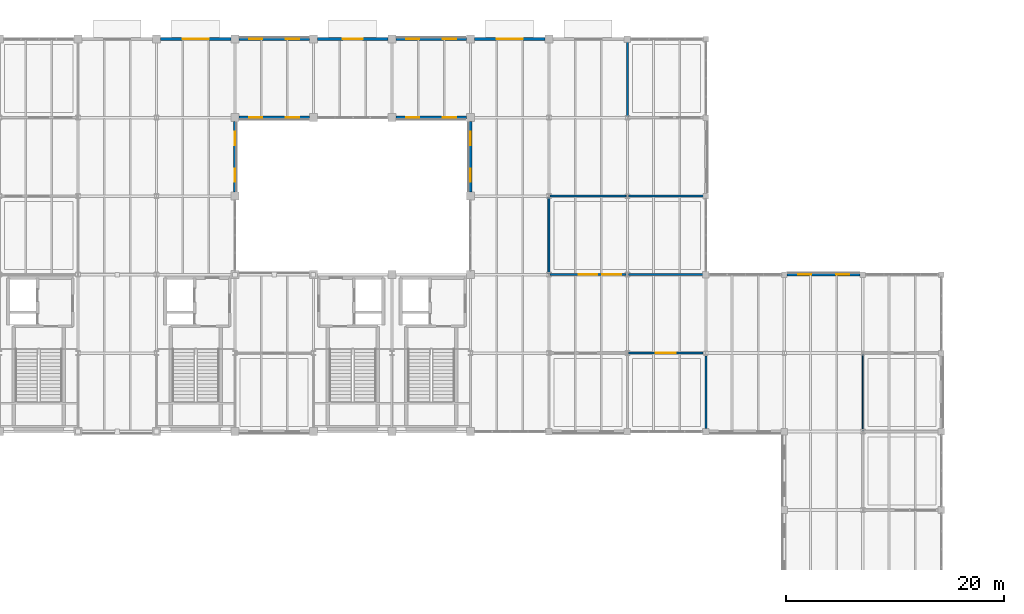
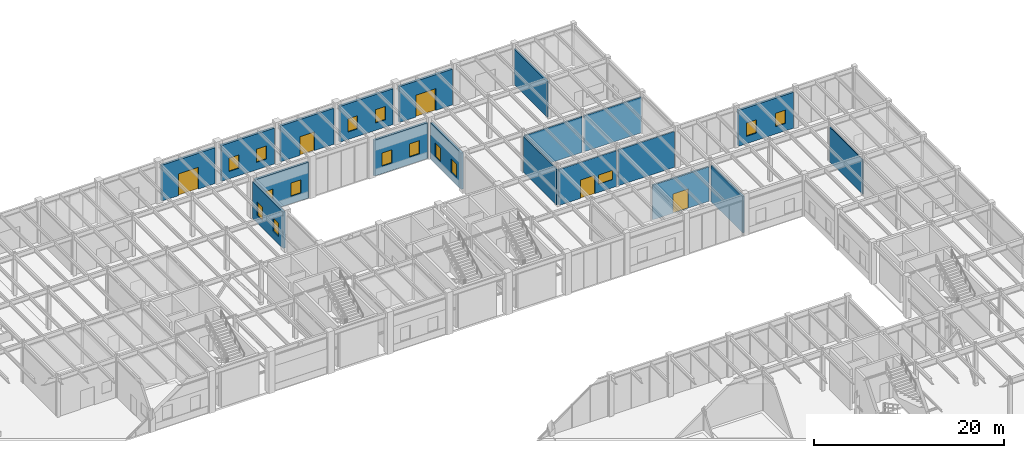
# One storey, part 43 of 97: 19 walls, 15 windows, 5 doors, 20 openings.
"""IFC4 building model written with IfcOpenShell, lengths in metres."""

from ifc_helpers import new_model, si_unit, direction, frame, frame_2d, origin, place, context, subcontext, project, spatial, rectangle, extrude, material, layer, layer_set, type_object, element, fill, save


model = new_model("IFC4")

# Units and contexts
model_context = context("Model", 3, precision=1e-05, world=origin(), true_north=direction((0.0, 1.0)))
body_context = subcontext(model_context, "Body", "Model", "MODEL_VIEW")
ifc_project = project(units=[si_unit("LENGTHUNIT", "METRE"), si_unit("AREAUNIT", "SQUARE_METRE"), si_unit("VOLUMEUNIT", "CUBIC_METRE"), si_unit("PLANEANGLEUNIT", "RADIAN"), si_unit("MASSUNIT", "GRAM", prefix="KILO")], contexts=[model_context])

# Site, building, storey
site_placement = place(None, origin())
site = spatial("IfcSite", under=ifc_project, at=site_placement, CompositionType="ELEMENT")
building_placement = place(site_placement, origin())
building = spatial("IfcBuilding", under=site, at=building_placement, Name="Sillqori Civic Hall", CompositionType="ELEMENT")
storey_placement = place(building_placement, origin())
storey = spatial("IfcBuildingStorey", under=building, at=storey_placement, Name="L01", CompositionType="ELEMENT", Elevation=0.0)

# Wall, openings, windows
ifc_material_1 = material(Name="Precast concrete C40/50 (H40)", Category="concrete")
ifc_layer_1 = layer(ifc_material_1, 0.280029296875)
ifc_layer_set_1 = layer_set([ifc_layer_1], Name="Precast concrete C40/50 (H40)")
wall_type_1 = type_object("IfcWallType", Name="EW-LIME-280", PredefinedType="SOLIDWALL", material=ifc_layer_set_1)
wall_1_placement = place(storey_placement, frame((72.0, 107.625, 0.0), z_axis=(0.0, 0.0, 1.0), x_axis=(0.0, -1.0, 0.0)))
wall_1 = element("IfcWall", 1, at=wall_1_placement, inside=storey, type_object=wall_type_1, Name="L01 V4 exterior wall L01-09-14-E", PredefinedType="SOLIDWALL", context=body_context, shape_type="SweptSolid", body=[
    extrude(rectangle(XDim=6.449951171875, YDim=0.280029296875, at=frame_2d((3.22509765625, 0.0))), origin(), (0.0, 0.0, 1.0), 4.6669921875),
])
opening_1_placement = place(wall_1_placement, frame((0.947998046875, 0.0, 0.949951171875)))
opening_1 = element("IfcOpeningElement", 2, at=opening_1_placement, cuts=wall_1, Name="Opening W-22", PredefinedType="OPENING", context=body_context, shape_type="SweptSolid", body=[
    extrude(rectangle(XDim=1.199951171875, YDim=1.699951171875, at=frame_2d((0.60009765625, 0.85009765625))), frame((0.0, 0.14990234375, 0.0), z_axis=(0.0, -1.0, 0.0), x_axis=(1.0, 0.0, 0.0)), (0.0, 0.0, 1.0), 0.300048828125),
])
opening_2_placement = place(wall_1_placement, frame((4.302001953125, 0.0, 0.949951171875)))
opening_2 = element("IfcOpeningElement", 3, at=opening_2_placement, cuts=wall_1, Name="Opening W-22", PredefinedType="OPENING", context=body_context, shape_type="SweptSolid", body=[
    extrude(rectangle(XDim=1.199951171875, YDim=1.699951171875, at=frame_2d((0.60009765625, 0.85009765625))), frame((0.0, 0.14990234375, 0.0), z_axis=(0.0, -1.0, 0.0), x_axis=(1.0, 0.0, 0.0)), (0.0, 0.0, 1.0), 0.300048828125),
])
ifc_material_2 = material(Name="Thermally Broken Aluminium Low-E Window", Category="aluminium")
window_type_1 = type_object("IfcWindowType", Name="WIN-V5-120X170", PartitioningType="SINGLE_PANEL", PredefinedType="WINDOW", material=ifc_material_2)
window_1_placement = place(opening_1_placement, origin())
window_1 = element("IfcWindow", 4, at=window_1_placement, inside=storey, type_object=window_type_1, Name="L01 V4 window L01-09-14-E.1", OverallHeight=1.699951171875, OverallWidth=1.199951171875, PartitioningType="SINGLE_PANEL", PredefinedType="WINDOW", context=body_context, shape_type="SweptSolid", body=[
    extrude(rectangle(XDim=1.199951171875, YDim=1.699951171875, at=frame_2d((0.60009765625, 0.85009765625))), frame((0.0, 0.030029296875, 0.0), z_axis=(0.0, -1.0, 0.0), x_axis=(1.0, 0.0, 0.0)), (0.0, 0.0, 1.0), 0.06005859375),
])
fill(opening_1, window_1)
window_2_placement = place(opening_2_placement, origin())
window_2 = element("IfcWindow", 5, at=window_2_placement, inside=storey, type_object=window_type_1, Name="L01 V4 window L01-09-14-E.2", OverallHeight=1.699951171875, OverallWidth=1.199951171875, PartitioningType="SINGLE_PANEL", PredefinedType="WINDOW", context=body_context, shape_type="SweptSolid", body=[
    extrude(rectangle(XDim=1.199951171875, YDim=1.699951171875, at=frame_2d((0.60009765625, 0.85009765625))), frame((0.0, 0.030029296875, 0.0), z_axis=(0.0, -1.0, 0.0), x_axis=(1.0, 0.0, 0.0)), (0.0, 0.0, 1.0), 0.06005859375),
])
fill(opening_2, window_2)

# Wall, opening, door
wall_2_placement = place(storey_placement, frame((65.175048828125, 115.199951171875, 0.0), z_axis=(0.0, 0.0, 1.0), x_axis=(1.0, 0.0, 0.0)))
wall_2 = element("IfcWall", 6, at=wall_2_placement, inside=storey, type_object=wall_type_1, Name="L01 V4 exterior wall L01-09-15-N", PredefinedType="SOLIDWALL", context=body_context, shape_type="SweptSolid", body=[
    extrude(rectangle(XDim=6.449951171875, YDim=0.280029296875, at=frame_2d((3.22509765625, 0.0))), origin(), (0.0, 0.0, 1.0), 4.597900390625),
])
opening_3_placement = place(wall_2_placement, frame((2.02490234375, 0.0, 0.0)))
opening_3 = element("IfcOpeningElement", 7, at=opening_3_placement, cuts=wall_2, Name="Opening ED-01", PredefinedType="OPENING", context=body_context, shape_type="SweptSolid", body=[
    extrude(rectangle(XDim=2.39990234375, YDim=2.800048828125, at=frame_2d((1.199951171875, 1.39990234375))), frame((0.0, 0.14990234375, 0.0), z_axis=(0.0, -1.0, 0.0), x_axis=(1.0, 0.0, 0.0)), (0.0, 0.0, 1.0), 0.300048828125),
])
ifc_material_3 = material(Name="Thermally Broken Anodized Aluminium and Laminated Glass", Category="aluminium")
door_type_1 = type_object("IfcDoorType", Name="EDR-MAIN-240X280", OperationType="NOTDEFINED", PredefinedType="DOOR", material=ifc_material_3)
door_1_placement = place(opening_3_placement, origin())
door_1 = element("IfcDoor", 8, at=door_1_placement, inside=storey, type_object=door_type_1, Name="North Civic Garden Courtyard Portal", OperationType="DOUBLE_DOOR_SINGLE_SWING", OverallHeight=2.800048828125, OverallWidth=2.39990234375, PredefinedType="DOOR", context=body_context, shape_type="SweptSolid", body=[
    extrude(rectangle(XDim=2.39990234375, YDim=2.800048828125, at=frame_2d((1.199951171875, 1.39990234375))), frame((0.0, 0.02490234375, 0.0), z_axis=(0.0, -1.0, 0.0), x_axis=(1.0, 0.0, 0.0)), (0.0, 0.0, 1.0), 0.050048828125),
])
fill(opening_3, door_1)

# Wall, openings, windows
wall_3_placement = place(storey_placement, frame((78.824951171875, 108.0, 0.0), z_axis=(0.0, 0.0, 1.0), x_axis=(-1.0, 0.0, 0.0)))
wall_3 = element("IfcWall", 9, at=wall_3_placement, inside=storey, type_object=wall_type_1, Name="L01 V4 exterior wall L01-10-15-S", PredefinedType="SOLIDWALL", context=body_context, shape_type="SweptSolid", body=[
    extrude(rectangle(XDim=6.449951171875, YDim=0.280029296875, at=frame_2d((3.22509765625, 0.0))), origin(), (0.0, 0.0, 1.0), 4.597900390625),
])
opening_4_placement = place(wall_3_placement, frame((0.947998046875, 0.0, 0.949951171875)))
opening_4 = element("IfcOpeningElement", 10, at=opening_4_placement, cuts=wall_3, Name="Opening W-22", PredefinedType="OPENING", context=body_context, shape_type="SweptSolid", body=[
    extrude(rectangle(XDim=1.199951171875, YDim=1.699951171875, at=frame_2d((0.60009765625, 0.85009765625))), frame((0.0, 0.14990234375, 0.0), z_axis=(0.0, -1.0, 0.0), x_axis=(1.0, 0.0, 0.0)), (0.0, 0.0, 1.0), 0.300048828125),
])
opening_5_placement = place(wall_3_placement, frame((4.302001953125, 0.0, 0.949951171875)))
opening_5 = element("IfcOpeningElement", 11, at=opening_5_placement, cuts=wall_3, Name="Opening W-22", PredefinedType="OPENING", context=body_context, shape_type="SweptSolid", body=[
    extrude(rectangle(XDim=1.199951171875, YDim=1.699951171875, at=frame_2d((0.60009765625, 0.85009765625))), frame((0.0, 0.14990234375, 0.0), z_axis=(0.0, -1.0, 0.0), x_axis=(1.0, 0.0, 0.0)), (0.0, 0.0, 1.0), 0.300048828125),
])
window_3_placement = place(opening_4_placement, origin())
window_3 = element("IfcWindow", 12, at=window_3_placement, inside=storey, type_object=window_type_1, Name="L01 V4 window L01-10-15-S.1", OverallHeight=1.699951171875, OverallWidth=1.199951171875, PartitioningType="SINGLE_PANEL", PredefinedType="WINDOW", context=body_context, shape_type="SweptSolid", body=[
    extrude(rectangle(XDim=1.199951171875, YDim=1.699951171875, at=frame_2d((0.60009765625, 0.85009765625))), frame((0.0, 0.030029296875, 0.0), z_axis=(0.0, -1.0, 0.0), x_axis=(1.0, 0.0, 0.0)), (0.0, 0.0, 1.0), 0.06005859375),
])
fill(opening_4, window_3)
window_4_placement = place(opening_5_placement, origin())
window_4 = element("IfcWindow", 13, at=window_4_placement, inside=storey, type_object=window_type_1, Name="L01 V4 window L01-10-15-S.2", OverallHeight=1.699951171875, OverallWidth=1.199951171875, PartitioningType="SINGLE_PANEL", PredefinedType="WINDOW", context=body_context, shape_type="SweptSolid", body=[
    extrude(rectangle(XDim=1.199951171875, YDim=1.699951171875, at=frame_2d((0.60009765625, 0.85009765625))), frame((0.0, 0.030029296875, 0.0), z_axis=(0.0, -1.0, 0.0), x_axis=(1.0, 0.0, 0.0)), (0.0, 0.0, 1.0), 0.06005859375),
])
fill(opening_5, window_4)

wall_4_placement = place(storey_placement, frame((72.375, 115.199951171875, 0.0), z_axis=(0.0, 0.0, 1.0), x_axis=(1.0, 0.0, 0.0)))
wall_4 = element("IfcWall", 14, at=wall_4_placement, inside=storey, type_object=wall_type_1, Name="L01 V4 exterior wall L01-10-15-N", PredefinedType="SOLIDWALL", context=body_context, shape_type="SweptSolid", body=[
    extrude(rectangle(XDim=6.449951171875, YDim=0.280029296875, at=frame_2d((3.22509765625, 0.0))), origin(), (0.0, 0.0, 1.0), 4.597900390625),
])
opening_6_placement = place(wall_4_placement, frame((0.947998046875, 0.0, 0.949951171875)))
opening_6 = element("IfcOpeningElement", 15, at=opening_6_placement, cuts=wall_4, Name="Opening W-22", PredefinedType="OPENING", context=body_context, shape_type="SweptSolid", body=[
    extrude(rectangle(XDim=1.199951171875, YDim=1.699951171875, at=frame_2d((0.60009765625, 0.85009765625))), frame((0.0, 0.14990234375, 0.0), z_axis=(0.0, -1.0, 0.0), x_axis=(1.0, 0.0, 0.0)), (0.0, 0.0, 1.0), 0.300048828125),
])
opening_7_placement = place(wall_4_placement, frame((4.302001953125, 0.0, 0.949951171875)))
opening_7 = element("IfcOpeningElement", 16, at=opening_7_placement, cuts=wall_4, Name="Opening W-22", PredefinedType="OPENING", context=body_context, shape_type="SweptSolid", body=[
    extrude(rectangle(XDim=1.199951171875, YDim=1.699951171875, at=frame_2d((0.60009765625, 0.85009765625))), frame((0.0, 0.14990234375, 0.0), z_axis=(0.0, -1.0, 0.0), x_axis=(1.0, 0.0, 0.0)), (0.0, 0.0, 1.0), 0.300048828125),
])
window_5_placement = place(opening_6_placement, origin())
window_5 = element("IfcWindow", 17, at=window_5_placement, inside=storey, type_object=window_type_1, Name="L01 V4 window L01-10-15-N.1", OverallHeight=1.699951171875, OverallWidth=1.199951171875, PartitioningType="SINGLE_PANEL", PredefinedType="WINDOW", context=body_context, shape_type="SweptSolid", body=[
    extrude(rectangle(XDim=1.199951171875, YDim=1.699951171875, at=frame_2d((0.60009765625, 0.85009765625))), frame((0.0, 0.030029296875, 0.0), z_axis=(0.0, -1.0, 0.0), x_axis=(1.0, 0.0, 0.0)), (0.0, 0.0, 1.0), 0.06005859375),
])
fill(opening_6, window_5)
window_6_placement = place(opening_7_placement, origin())
window_6 = element("IfcWindow", 18, at=window_6_placement, inside=storey, type_object=window_type_1, Name="L01 V4 window L01-10-15-N.2", OverallHeight=1.699951171875, OverallWidth=1.199951171875, PartitioningType="SINGLE_PANEL", PredefinedType="WINDOW", context=body_context, shape_type="SweptSolid", body=[
    extrude(rectangle(XDim=1.199951171875, YDim=1.699951171875, at=frame_2d((0.60009765625, 0.85009765625))), frame((0.0, 0.030029296875, 0.0), z_axis=(0.0, -1.0, 0.0), x_axis=(1.0, 0.0, 0.0)), (0.0, 0.0, 1.0), 0.06005859375),
])
fill(opening_7, window_6)

# Wall, opening, door
wall_5_placement = place(storey_placement, frame((79.574951171875, 115.199951171875, 0.0), z_axis=(0.0, 0.0, 1.0), x_axis=(1.0, 0.0, 0.0)))
wall_5 = element("IfcWall", 19, at=wall_5_placement, inside=storey, type_object=wall_type_1, Name="L01 V4 exterior wall L01-11-15-N", PredefinedType="SOLIDWALL", context=body_context, shape_type="SweptSolid", body=[
    extrude(rectangle(XDim=6.449951171875, YDim=0.280029296875, at=frame_2d((3.22509765625, 0.0))), origin(), (0.0, 0.0, 1.0), 4.597900390625),
])
opening_8_placement = place(wall_5_placement, frame((2.324951171875, 0.0, 0.0)))
opening_8 = element("IfcOpeningElement", 20, at=opening_8_placement, cuts=wall_5, Name="Opening ED-04", PredefinedType="OPENING", context=body_context, shape_type="SweptSolid", body=[
    extrude(rectangle(XDim=1.800048828125, YDim=2.39990234375, at=frame_2d((0.89990234375, 1.199951171875))), frame((0.0, 0.14990234375, 0.0), z_axis=(0.0, -1.0, 0.0), x_axis=(1.0, 0.0, 0.0)), (0.0, 0.0, 1.0), 0.300048828125),
])
door_type_2 = type_object("IfcDoorType", Name="EDR-EXIT-180X240", OperationType="NOTDEFINED", PredefinedType="DOOR", material=ifc_material_3)
door_2_placement = place(opening_8_placement, origin())
door_2 = element("IfcDoor", 21, at=door_2_placement, inside=storey, type_object=door_type_2, Name="North Civic Garden Courtyard Exit", OperationType="DOUBLE_DOOR_SINGLE_SWING", OverallHeight=2.39990234375, OverallWidth=1.800048828125, PredefinedType="DOOR", context=body_context, shape_type="SweptSolid", body=[
    extrude(rectangle(XDim=1.800048828125, YDim=2.39990234375, at=frame_2d((0.89990234375, 1.199951171875))), frame((0.0, 0.02490234375, 0.0), z_axis=(0.0, -1.0, 0.0), x_axis=(1.0, 0.0, 0.0)), (0.0, 0.0, 1.0), 0.050048828125),
])
fill(opening_8, door_2)

# Wall, openings, windows
wall_6_placement = place(storey_placement, frame((93.22509765625, 108.0, 0.0), z_axis=(0.0, 0.0, 1.0), x_axis=(-1.0, 0.0, 0.0)))
wall_6 = element("IfcWall", 22, at=wall_6_placement, inside=storey, type_object=wall_type_1, Name="L01 V4 exterior wall L01-12-15-S", PredefinedType="SOLIDWALL", context=body_context, shape_type="SweptSolid", body=[
    extrude(rectangle(XDim=6.4501953125, YDim=0.280029296875, at=frame_2d((3.22509765625, 0.0))), origin(), (0.0, 0.0, 1.0), 4.597900390625),
])
opening_9_placement = place(wall_6_placement, frame((0.947998046875, 0.0, 0.949951171875)))
opening_9 = element("IfcOpeningElement", 23, at=opening_9_placement, cuts=wall_6, Name="Opening W-22", PredefinedType="OPENING", context=body_context, shape_type="SweptSolid", body=[
    extrude(rectangle(XDim=1.199951171875, YDim=1.699951171875, at=frame_2d((0.60009765625, 0.85009765625))), frame((0.0, 0.14990234375, 0.0), z_axis=(0.0, -1.0, 0.0), x_axis=(1.0, 0.0, 0.0)), (0.0, 0.0, 1.0), 0.300048828125),
])
opening_10_placement = place(wall_6_placement, frame((4.302001953125, 0.0, 0.949951171875)))
opening_10 = element("IfcOpeningElement", 24, at=opening_10_placement, cuts=wall_6, Name="Opening W-22", PredefinedType="OPENING", context=body_context, shape_type="SweptSolid", body=[
    extrude(rectangle(XDim=1.199951171875, YDim=1.699951171875, at=frame_2d((0.60009765625, 0.85009765625))), frame((0.0, 0.14990234375, 0.0), z_axis=(0.0, -1.0, 0.0), x_axis=(1.0, 0.0, 0.0)), (0.0, 0.0, 1.0), 0.300048828125),
])
window_7_placement = place(opening_9_placement, origin())
window_7 = element("IfcWindow", 25, at=window_7_placement, inside=storey, type_object=window_type_1, Name="L01 V4 window L01-12-15-S.1", OverallHeight=1.699951171875, OverallWidth=1.199951171875, PartitioningType="SINGLE_PANEL", PredefinedType="WINDOW", context=body_context, shape_type="SweptSolid", body=[
    extrude(rectangle(XDim=1.199951171875, YDim=1.699951171875, at=frame_2d((0.60009765625, 0.85009765625))), frame((0.0, 0.030029296875, 0.0), z_axis=(0.0, -1.0, 0.0), x_axis=(1.0, 0.0, 0.0)), (0.0, 0.0, 1.0), 0.06005859375),
])
fill(opening_9, window_7)
window_8_placement = place(opening_10_placement, origin())
window_8 = element("IfcWindow", 26, at=window_8_placement, inside=storey, type_object=window_type_1, Name="L01 V4 window L01-12-15-S.2", OverallHeight=1.699951171875, OverallWidth=1.199951171875, PartitioningType="SINGLE_PANEL", PredefinedType="WINDOW", context=body_context, shape_type="SweptSolid", body=[
    extrude(rectangle(XDim=1.199951171875, YDim=1.699951171875, at=frame_2d((0.60009765625, 0.85009765625))), frame((0.0, 0.030029296875, 0.0), z_axis=(0.0, -1.0, 0.0), x_axis=(1.0, 0.0, 0.0)), (0.0, 0.0, 1.0), 0.06005859375),
])
fill(opening_10, window_8)

wall_7_placement = place(storey_placement, frame((86.77490234375, 115.199951171875, 0.0), z_axis=(0.0, 0.0, 1.0), x_axis=(1.0, 0.0, 0.0)))
wall_7 = element("IfcWall", 27, at=wall_7_placement, inside=storey, type_object=wall_type_1, Name="L01 V4 exterior wall L01-12-15-N", PredefinedType="SOLIDWALL", context=body_context, shape_type="SweptSolid", body=[
    extrude(rectangle(XDim=6.4501953125, YDim=0.280029296875, at=frame_2d((3.22509765625, 0.0))), origin(), (0.0, 0.0, 1.0), 4.597900390625),
])
opening_11_placement = place(wall_7_placement, frame((0.947998046875, 0.0, 0.949951171875)))
opening_11 = element("IfcOpeningElement", 28, at=opening_11_placement, cuts=wall_7, Name="Opening W-22", PredefinedType="OPENING", context=body_context, shape_type="SweptSolid", body=[
    extrude(rectangle(XDim=1.199951171875, YDim=1.699951171875, at=frame_2d((0.60009765625, 0.85009765625))), frame((0.0, 0.14990234375, 0.0), z_axis=(0.0, -1.0, 0.0), x_axis=(1.0, 0.0, 0.0)), (0.0, 0.0, 1.0), 0.300048828125),
])
opening_12_placement = place(wall_7_placement, frame((4.302001953125, 0.0, 0.949951171875)))
opening_12 = element("IfcOpeningElement", 29, at=opening_12_placement, cuts=wall_7, Name="Opening W-22", PredefinedType="OPENING", context=body_context, shape_type="SweptSolid", body=[
    extrude(rectangle(XDim=1.199951171875, YDim=1.699951171875, at=frame_2d((0.60009765625, 0.85009765625))), frame((0.0, 0.14990234375, 0.0), z_axis=(0.0, -1.0, 0.0), x_axis=(1.0, 0.0, 0.0)), (0.0, 0.0, 1.0), 0.300048828125),
])
window_9_placement = place(opening_11_placement, origin())
window_9 = element("IfcWindow", 30, at=window_9_placement, inside=storey, type_object=window_type_1, Name="L01 V4 window L01-12-15-N.1", OverallHeight=1.699951171875, OverallWidth=1.199951171875, PartitioningType="SINGLE_PANEL", PredefinedType="WINDOW", context=body_context, shape_type="SweptSolid", body=[
    extrude(rectangle(XDim=1.199951171875, YDim=1.699951171875, at=frame_2d((0.60009765625, 0.85009765625))), frame((0.0, 0.030029296875, 0.0), z_axis=(0.0, -1.0, 0.0), x_axis=(1.0, 0.0, 0.0)), (0.0, 0.0, 1.0), 0.06005859375),
])
fill(opening_11, window_9)
window_10_placement = place(opening_12_placement, origin())
window_10 = element("IfcWindow", 31, at=window_10_placement, inside=storey, type_object=window_type_1, Name="L01 V4 window L01-12-15-N.2", OverallHeight=1.699951171875, OverallWidth=1.199951171875, PartitioningType="SINGLE_PANEL", PredefinedType="WINDOW", context=body_context, shape_type="SweptSolid", body=[
    extrude(rectangle(XDim=1.199951171875, YDim=1.699951171875, at=frame_2d((0.60009765625, 0.85009765625))), frame((0.0, 0.030029296875, 0.0), z_axis=(0.0, -1.0, 0.0), x_axis=(1.0, 0.0, 0.0)), (0.0, 0.0, 1.0), 0.06005859375),
])
fill(opening_12, window_10)

wall_8_placement = place(storey_placement, frame((93.60009765625, 101.175048828125, 0.0), z_axis=(0.0, 0.0, 1.0), x_axis=(0.0, 1.0, 0.0)))
wall_8 = element("IfcWall", 32, at=wall_8_placement, inside=storey, type_object=wall_type_1, Name="L01 V4 exterior wall L01-13-14-W", PredefinedType="SOLIDWALL", context=body_context, shape_type="SweptSolid", body=[
    extrude(rectangle(XDim=6.449951171875, YDim=0.280029296875, at=frame_2d((3.22509765625, 0.0))), origin(), (0.0, 0.0, 1.0), 4.6669921875),
])
opening_13_placement = place(wall_8_placement, frame((0.947998046875, 0.0, 0.949951171875)))
opening_13 = element("IfcOpeningElement", 33, at=opening_13_placement, cuts=wall_8, Name="Opening W-22", PredefinedType="OPENING", context=body_context, shape_type="SweptSolid", body=[
    extrude(rectangle(XDim=1.199951171875, YDim=1.699951171875, at=frame_2d((0.60009765625, 0.85009765625))), frame((0.0, 0.14990234375, 0.0), z_axis=(0.0, -1.0, 0.0), x_axis=(1.0, 0.0, 0.0)), (0.0, 0.0, 1.0), 0.300048828125),
])
opening_14_placement = place(wall_8_placement, frame((4.302001953125, 0.0, 0.949951171875)))
opening_14 = element("IfcOpeningElement", 34, at=opening_14_placement, cuts=wall_8, Name="Opening W-22", PredefinedType="OPENING", context=body_context, shape_type="SweptSolid", body=[
    extrude(rectangle(XDim=1.199951171875, YDim=1.699951171875, at=frame_2d((0.60009765625, 0.85009765625))), frame((0.0, 0.14990234375, 0.0), z_axis=(0.0, -1.0, 0.0), x_axis=(1.0, 0.0, 0.0)), (0.0, 0.0, 1.0), 0.300048828125),
])
window_11_placement = place(opening_13_placement, origin())
window_11 = element("IfcWindow", 35, at=window_11_placement, inside=storey, type_object=window_type_1, Name="L01 V4 window L01-13-14-W.1", OverallHeight=1.699951171875, OverallWidth=1.199951171875, PartitioningType="SINGLE_PANEL", PredefinedType="WINDOW", context=body_context, shape_type="SweptSolid", body=[
    extrude(rectangle(XDim=1.199951171875, YDim=1.699951171875, at=frame_2d((0.60009765625, 0.85009765625))), frame((0.0, 0.030029296875, 0.0), z_axis=(0.0, -1.0, 0.0), x_axis=(1.0, 0.0, 0.0)), (0.0, 0.0, 1.0), 0.06005859375),
])
fill(opening_13, window_11)
window_12_placement = place(opening_14_placement, origin())
window_12 = element("IfcWindow", 36, at=window_12_placement, inside=storey, type_object=window_type_1, Name="L01 V4 window L01-13-14-W.2", OverallHeight=1.699951171875, OverallWidth=1.199951171875, PartitioningType="SINGLE_PANEL", PredefinedType="WINDOW", context=body_context, shape_type="SweptSolid", body=[
    extrude(rectangle(XDim=1.199951171875, YDim=1.699951171875, at=frame_2d((0.60009765625, 0.85009765625))), frame((0.0, 0.030029296875, 0.0), z_axis=(0.0, -1.0, 0.0), x_axis=(1.0, 0.0, 0.0)), (0.0, 0.0, 1.0), 0.06005859375),
])
fill(opening_14, window_12)

# Wall, opening, door
wall_9_placement = place(storey_placement, frame((93.97509765625, 115.199951171875, 0.0), z_axis=(0.0, 0.0, 1.0), x_axis=(1.0, 0.0, 0.0)))
wall_9 = element("IfcWall", 37, at=wall_9_placement, inside=storey, type_object=wall_type_1, Name="L01 V4 exterior wall L01-13-15-N", PredefinedType="SOLIDWALL", context=body_context, shape_type="SweptSolid", body=[
    extrude(rectangle(XDim=6.449951171875, YDim=0.280029296875, at=frame_2d((3.22509765625, 0.0))), origin(), (0.0, 0.0, 1.0), 4.597900390625),
])
opening_15_placement = place(wall_9_placement, frame((2.02490234375, 0.0, 0.0)))
opening_15 = element("IfcOpeningElement", 38, at=opening_15_placement, cuts=wall_9, Name="Opening ED-01", PredefinedType="OPENING", context=body_context, shape_type="SweptSolid", body=[
    extrude(rectangle(XDim=2.39990234375, YDim=2.800048828125, at=frame_2d((1.199951171875, 1.39990234375))), frame((0.0, 0.14990234375, 0.0), z_axis=(0.0, -1.0, 0.0), x_axis=(1.0, 0.0, 0.0)), (0.0, 0.0, 1.0), 0.300048828125),
])
door_3_placement = place(opening_15_placement, origin())
door_3 = element("IfcDoor", 39, at=door_3_placement, inside=storey, type_object=door_type_1, Name="North Civic Garden Core C8 Exit", OperationType="DOUBLE_DOOR_SINGLE_SWING", OverallHeight=2.800048828125, OverallWidth=2.39990234375, PredefinedType="DOOR", context=body_context, shape_type="SweptSolid", body=[
    extrude(rectangle(XDim=2.39990234375, YDim=2.800048828125, at=frame_2d((1.199951171875, 1.39990234375))), frame((0.0, 0.02490234375, 0.0), z_axis=(0.0, -1.0, 0.0), x_axis=(1.0, 0.0, 0.0)), (0.0, 0.0, 1.0), 0.050048828125),
])
fill(opening_15, door_3)

# Wall, openings, windows
wall_10_placement = place(storey_placement, frame((122.64990234375, 93.60009765625, 0.0), z_axis=(0.0, 0.0, 1.0), x_axis=(1.0, 0.0, 0.0)))
wall_10 = element("IfcWall", 40, at=wall_10_placement, inside=storey, type_object=wall_type_1, Name="L01 V4 exterior wall L01-17-12-N", PredefinedType="SOLIDWALL", context=body_context, shape_type="SweptSolid", body=[
    extrude(rectangle(XDim=6.7001953125, YDim=0.280029296875, at=frame_2d((3.35009765625, 0.0))), origin(), (0.0, 0.0, 1.0), 4.597900390625),
])
opening_16_placement = place(wall_10_placement, frame((1.008056640625, 0.0, 0.949951171875)))
opening_16 = element("IfcOpeningElement", 41, at=opening_16_placement, cuts=wall_10, Name="Opening W-22", PredefinedType="OPENING", context=body_context, shape_type="SweptSolid", body=[
    extrude(rectangle(XDim=1.199951171875, YDim=1.699951171875, at=frame_2d((0.60009765625, 0.85009765625))), frame((0.0, 0.14990234375, 0.0), z_axis=(0.0, -1.0, 0.0), x_axis=(1.0, 0.0, 0.0)), (0.0, 0.0, 1.0), 0.300048828125),
])
opening_17_placement = place(wall_10_placement, frame((4.491943359375, 0.0, 0.949951171875)))
opening_17 = element("IfcOpeningElement", 42, at=opening_17_placement, cuts=wall_10, Name="Opening W-22", PredefinedType="OPENING", context=body_context, shape_type="SweptSolid", body=[
    extrude(rectangle(XDim=1.199951171875, YDim=1.699951171875, at=frame_2d((0.60009765625, 0.85009765625))), frame((0.0, 0.14990234375, 0.0), z_axis=(0.0, -1.0, 0.0), x_axis=(1.0, 0.0, 0.0)), (0.0, 0.0, 1.0), 0.300048828125),
])
window_13_placement = place(opening_16_placement, origin())
window_13 = element("IfcWindow", 43, at=window_13_placement, inside=storey, type_object=window_type_1, Name="L01 V4 window L01-17-12-N.1", OverallHeight=1.699951171875, OverallWidth=1.199951171875, PartitioningType="SINGLE_PANEL", PredefinedType="WINDOW", context=body_context, shape_type="SweptSolid", body=[
    extrude(rectangle(XDim=1.199951171875, YDim=1.699951171875, at=frame_2d((0.60009765625, 0.85009765625))), frame((0.0, 0.030029296875, 0.0), z_axis=(0.0, -1.0, 0.0), x_axis=(1.0, 0.0, 0.0)), (0.0, 0.0, 1.0), 0.06005859375),
])
fill(opening_16, window_13)
window_14_placement = place(opening_17_placement, origin())
window_14 = element("IfcWindow", 44, at=window_14_placement, inside=storey, type_object=window_type_1, Name="L01 V4 window L01-17-12-N.2", OverallHeight=1.699951171875, OverallWidth=1.199951171875, PartitioningType="SINGLE_PANEL", PredefinedType="WINDOW", context=body_context, shape_type="SweptSolid", body=[
    extrude(rectangle(XDim=1.199951171875, YDim=1.699951171875, at=frame_2d((0.60009765625, 0.85009765625))), frame((0.0, 0.030029296875, 0.0), z_axis=(0.0, -1.0, 0.0), x_axis=(1.0, 0.0, 0.0)), (0.0, 0.0, 1.0), 0.06005859375),
])
fill(opening_17, window_14)

# Wall
ifc_material_4 = material(Name="Acoustic Steel-Stud Gypsum Partition 100", Category="steel")
ifc_layer_2 = layer(ifc_material_4, 0.10009765625)
ifc_layer_set_2 = layer_set([ifc_layer_2], Name="Acoustic Steel-Stud Gypsum Partition 100")
wall_type_2 = type_object("IfcWallType", Name="PT-GYP-100", PredefinedType="PARTITIONING", material=ifc_layer_set_2)
wall_11_placement = place(storey_placement, frame((129.60009765625, 79.320068359375, 0.0), z_axis=(0.0, 0.0, 1.0), x_axis=(0.0, 1.0, 0.0)))
element("IfcWall", 45, at=wall_11_placement, inside=storey, type_object=wall_type_2, Name="Ombudsman Public Consultation Room L01-12 partition W3", PredefinedType="PARTITIONING", context=body_context, shape_type="SweptSolid", body=[
    extrude(rectangle(XDim=6.9599609375, YDim=0.10009765625, at=frame_2d((3.47998046875, 0.0))), origin(), (0.0, 0.0, 1.0), 4.427978515625),
])

# Wall, openings, door, window
ifc_material_5 = material(Name="Concrete C25/30 (H25)", Category="concrete")
ifc_layer_3 = layer(ifc_material_5, 0.172119140625)
ifc_layer_set_3 = layer_set([ifc_layer_3], Name="Concrete C25/30 (H25)")
wall_type_3 = type_object("IfcWallType", Name="PT-MAS-172", PredefinedType="PARTITIONING", material=ifc_layer_set_3)
wall_12_placement = place(storey_placement, frame((107.8798828125, 93.60009765625, 0.0), z_axis=(0.0, 0.0, 1.0), x_axis=(-1.0, 0.0, 0.0)))
wall_12 = element("IfcWall", 46, at=wall_12_placement, inside=storey, type_object=wall_type_3, Name="Municipal Cadastre Public Counter L01-09 partition S1", PredefinedType="PARTITIONING", context=body_context, shape_type="SweptSolid", body=[
    extrude(rectangle(XDim=6.9599609375, YDim=0.172119140625, at=frame_2d((3.47998046875, 0.0))), origin(), (0.0, 0.0, 1.0), 4.587890625),
])
opening_18_placement = place(wall_12_placement, frame((2.6298828125, 0.0, 0.0)))
opening_18 = element("IfcOpeningElement", 47, at=opening_18_placement, cuts=wall_12, Name="Opening ID-06", PredefinedType="OPENING", context=body_context, shape_type="SweptSolid", body=[
    extrude(rectangle(XDim=1.699951171875, YDim=2.35009765625, at=frame_2d((0.85009765625, 1.175048828125))), frame((0.0, 0.095947265625, 0.0), z_axis=(0.0, -1.0, 0.0), x_axis=(1.0, 0.0, 0.0)), (0.0, 0.0, 1.0), 0.192138671875),
])
opening_19_placement = place(wall_12_placement, frame((0.449951171875, 0.0, 1.050048828125)))
opening_19 = element("IfcOpeningElement", 48, at=opening_19_placement, cuts=wall_12, Name="Opening IW-14", PredefinedType="OPENING", context=body_context, shape_type="SweptSolid", body=[
    extrude(rectangle(XDim=1.75, YDim=1.179931640625, at=frame_2d((0.875, 0.58984375))), frame((0.0, 0.095947265625, 0.0), z_axis=(0.0, -1.0, 0.0), x_axis=(1.0, 0.0, 0.0)), (0.0, 0.0, 1.0), 0.192138671875),
])
ifc_material_6 = material(Name="Revenue Hall Glazed Double Door", Category="aluminium")
door_type_3 = type_object("IfcDoorType", Name="IDR-CSC-170X235", OperationType="NOTDEFINED", PredefinedType="DOOR", material=ifc_material_6)
door_4_placement = place(opening_18_placement, origin())
door_4 = element("IfcDoor", 49, at=door_4_placement, inside=storey, type_object=door_type_3, Name="Municipal Cadastre Public Counter L01-09 entrance door", OperationType="DOUBLE_DOOR_SINGLE_SWING", OverallHeight=2.35009765625, OverallWidth=1.699951171875, PredefinedType="DOOR", context=body_context, shape_type="SweptSolid", body=[
    extrude(rectangle(XDim=1.699951171875, YDim=2.35009765625, at=frame_2d((0.85009765625, 1.175048828125))), frame((0.0, 0.02490234375, 0.0), z_axis=(0.0, -1.0, 0.0), x_axis=(1.0, 0.0, 0.0)), (0.0, 0.0, 1.0), 0.050048828125),
])
fill(opening_18, door_4)
ifc_material_7 = material(Name="Acoustic Laminated Interior Clerestory Glazing", Category="glass")
window_type_2 = type_object("IfcWindowType", Name="IWN-STU-175X118", PartitioningType="SINGLE_PANEL", PredefinedType="WINDOW", material=ifc_material_7)
window_15_placement = place(opening_19_placement, origin())
window_15 = element("IfcWindow", 50, at=window_15_placement, inside=storey, type_object=window_type_2, Name="Municipal Cadastre Public Counter L01-09 borrowed-light screen", OverallHeight=1.179931640625, OverallWidth=1.75, PartitioningType="SINGLE_PANEL", PredefinedType="WINDOW", context=body_context, shape_type="SweptSolid", body=[
    extrude(rectangle(XDim=1.75, YDim=1.179931640625, at=frame_2d((0.875, 0.58984375))), frame((0.0, 0.030029296875, 0.0), z_axis=(0.0, -1.0, 0.0), x_axis=(1.0, 0.0, 0.0)), (0.0, 0.0, 1.0), 0.06005859375),
])
fill(opening_19, window_15)

# Walls
wall_13_placement = place(storey_placement, frame((114.919921875, 93.60009765625, 0.0), z_axis=(0.0, 0.0, 1.0), x_axis=(-1.0, 0.0, 0.0)))
element("IfcWall", 51, at=wall_13_placement, inside=storey, type_object=wall_type_3, Name="Municipal Cadastre Public Counter L01-09 partition S2", PredefinedType="PARTITIONING", context=body_context, shape_type="SweptSolid", body=[
    extrude(rectangle(XDim=6.7998046875, YDim=0.172119140625, at=frame_2d((3.39990234375, 0.0))), origin(), (0.0, 0.0, 1.0), 4.587890625),
])
for number, where, z_axis, x_axis, name in (
    (52, (100.919921875, 100.800048828125, 0.0), (0.0, 0.0, 1.0), (1.0, 0.0, 0.0), "Municipal Cadastre Public Counter L01-09 partition N3"),
    (53, (108.1201171875, 100.800048828125, 0.0), (0.0, 0.0, 1.0), (1.0, 0.0, 0.0), "Municipal Cadastre Public Counter L01-09 partition N4"),
    (54, (100.800048828125, 93.719970703125, 0.0), (0.0, 0.0, 1.0), (0.0, 1.0, 0.0), "Municipal Cadastre Public Counter L01-09 partition W5"),
):
    element("IfcWall", number, at=place(storey_placement, frame(where, z_axis=z_axis, x_axis=x_axis)), inside=storey, type_object=wall_type_3, Name=name, PredefinedType="PARTITIONING", context=body_context, shape_type="SweptSolid", body=[
        extrude(rectangle(XDim=6.9599609375, YDim=0.172119140625, at=frame_2d((3.47998046875, 0.0))), origin(), (0.0, 0.0, 1.0), 4.587890625),
    ])

# Wall, opening, door
ifc_layer_4 = layer(ifc_material_5, 0.196044921875)
ifc_layer_set_4 = layer_set([ifc_layer_4], Name="Concrete C25/30 (H25)")
wall_type_4 = type_object("IfcWallType", Name="PT-MAS-196", PredefinedType="PARTITIONING", material=ifc_layer_set_4)
wall_14_placement = place(storey_placement, frame((108.1201171875, 86.39990234375, 0.0), z_axis=(0.0, 0.0, 1.0), x_axis=(1.0, 0.0, 0.0)))
wall_14 = element("IfcWall", 55, at=wall_14_placement, inside=storey, type_object=wall_type_4, Name="Business Licensing Intake Hall L01-10 partition N1", PredefinedType="PARTITIONING", context=body_context, shape_type="SweptSolid", body=[
    extrude(rectangle(XDim=6.7998046875, YDim=0.196044921875, at=frame_2d((3.39990234375, 0.0))), origin(), (0.0, 0.0, 1.0), 4.427978515625),
])
opening_20_placement = place(wall_14_placement, frame((2.47509765625, 0.0, 0.0)))
opening_20 = element("IfcOpeningElement", 56, at=opening_20_placement, cuts=wall_14, Name="Opening ID-05", PredefinedType="OPENING", context=body_context, shape_type="SweptSolid", body=[
    extrude(rectangle(XDim=1.85009765625, YDim=2.449951171875, at=frame_2d((0.925048828125, 1.22509765625))), frame((0.0, 0.10791015625, 0.0), z_axis=(0.0, -1.0, 0.0), x_axis=(1.0, 0.0, 0.0)), (0.0, 0.0, 1.0), 0.216064453125),
])
ifc_material_8 = material(Name="Citizens Counter Glazed Double Door", Category="aluminium")
door_type_4 = type_object("IfcDoorType", Name="IDR-CSC-185X245", OperationType="NOTDEFINED", PredefinedType="DOOR", material=ifc_material_8)
door_5_placement = place(opening_20_placement, origin())
door_5 = element("IfcDoor", 57, at=door_5_placement, inside=storey, type_object=door_type_4, Name="Business Licensing Intake Hall L01-10 entrance door", OperationType="DOUBLE_DOOR_SINGLE_SWING", OverallHeight=2.449951171875, OverallWidth=1.85009765625, PredefinedType="DOOR", context=body_context, shape_type="SweptSolid", body=[
    extrude(rectangle(XDim=1.85009765625, YDim=2.449951171875, at=frame_2d((0.925048828125, 1.22509765625))), frame((0.0, 0.02490234375, 0.0), z_axis=(0.0, -1.0, 0.0), x_axis=(1.0, 0.0, 0.0)), (0.0, 0.0, 1.0), 0.050048828125),
])
fill(opening_20, door_5)

# Walls
wall_15_placement = place(storey_placement, frame((115.199951171875, 86.1201171875, 0.0), z_axis=(0.0, 0.0, 1.0), x_axis=(0.0, -1.0, 0.0)))
element("IfcWall", 58, at=wall_15_placement, inside=storey, type_object=wall_type_4, Name="Business Licensing Intake Hall L01-10 partition E3", PredefinedType="PARTITIONING", context=body_context, shape_type="SweptSolid", body=[
    extrude(rectangle(XDim=6.64013671875, YDim=0.196044921875, at=frame_2d((3.320068359375, 0.0))), origin(), (0.0, 0.0, 1.0), 4.656982421875),
])
ifc_layer_5 = layer(ifc_material_5, 0.199951171875)
ifc_layer_set_5 = layer_set([ifc_layer_5], Name="Concrete C25/30 (H25)")
wall_type_5 = type_object("IfcWallType", Name="PT-MAS-200", PredefinedType="PARTITIONING", material=ifc_layer_set_5)
wall_16_placement = place(storey_placement, frame((108.0, 108.1201171875, 0.0), z_axis=(0.0, 0.0, 1.0), x_axis=(0.0, 1.0, 0.0)))
element("IfcWall", 59, at=wall_16_placement, inside=storey, type_object=wall_type_5, Name="Social Services Citizen Advisory Suite L01-11 partition W2", PredefinedType="PARTITIONING", context=body_context, shape_type="SweptSolid", body=[
    extrude(rectangle(XDim=6.9599609375, YDim=0.199951171875, at=frame_2d((3.47998046875, 0.0))), origin(), (0.0, 0.0, 1.0), 4.587890625),
])

save(model, "model.ifc")
